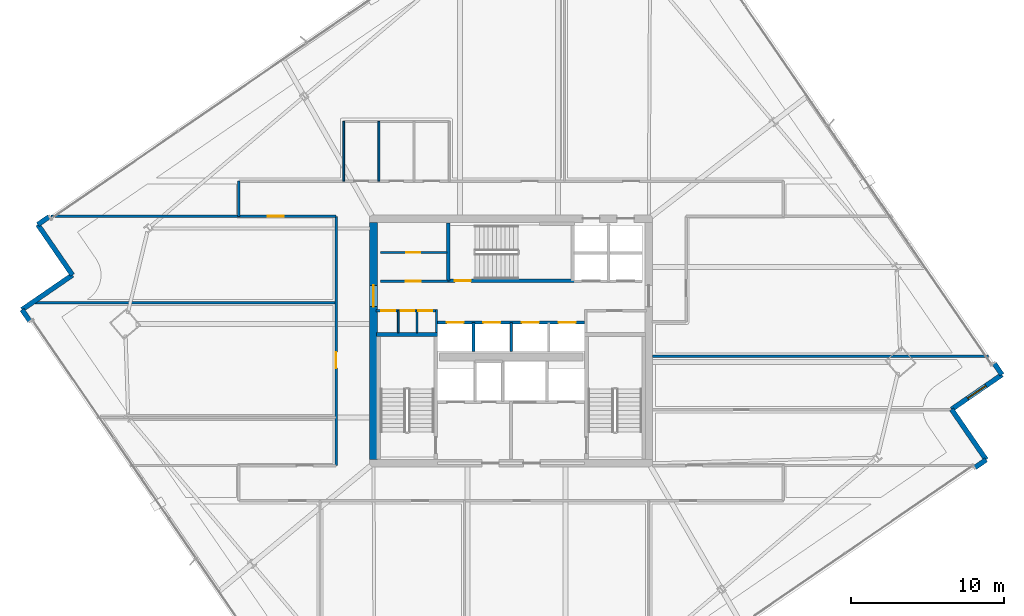
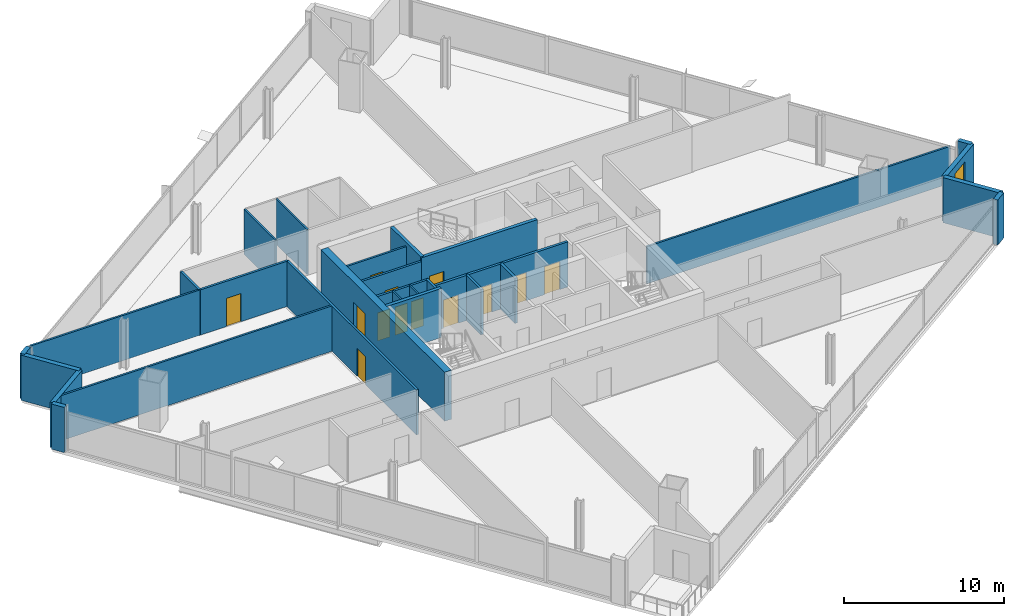
# One storey, part 22 of 29: 29 walls, 13 doors, 1 window, 14 openings.
"""IFC4 building model written with IfcOpenShell, lengths in metres."""

import ifcopenshell
import ifcopenshell.guid

model = None  # the IFC model being written
_history = None  # IfcOwnerHistory: only IFC2X3 demands one
_inside = {}  # id of a spatial element -> (the spatial element, [elements in it])
_under = {}  # id of a project, library or spatial element -> (it, [spatial elements below it])
_declared = {}  # id of a project -> (the project, [libraries it declares])
_typed = {}  # id of a type object -> (the type object, [elements of that type])
_made_of = {}  # id of a material, layer set ... -> (it, [elements and type objects made of it])


def new_model(schema):
    """Start an empty IFC model of exactly this schema.

    Asked for "IFC4X3", IfcOpenShell would pick the latest addendum, in which some entities
    have other attributes; the version numbers below select the first issue.
    IFC2X3 requires an IfcOwnerHistory on every rooted entity: one is made here for all.
    """
    global model, _history
    if schema == "IFC4X3":
        model = ifcopenshell.file(schema_version=(4, 3, 0, 0))
    else:
        model = ifcopenshell.file(schema=schema)
    _inside.clear()
    _under.clear()
    _declared.clear()
    _typed.clear()
    _made_of.clear()
    _history = None
    if model.schema == "IFC2X3":
        org = make("IfcOrganization", Name="unknown")
        user = make(
            "IfcPersonAndOrganization",
            ThePerson=make("IfcPerson", FamilyName="unknown"),
            TheOrganization=org,
        )
        app = make(
            "IfcApplication",
            ApplicationDeveloper=org,
            Version="unknown",
            ApplicationFullName="unknown",
            ApplicationIdentifier="unknown",
        )
        _history = make(
            "IfcOwnerHistory",
            OwningUser=user,
            OwningApplication=app,
            ChangeAction="ADDED",
            CreationDate=0,
        )
    return model


def make(cls, **values):
    """One entity of the class cls with the attributes given. An attribute that is None is left unset."""
    return model.create_entity(
        cls, **{name: value for name, value in values.items() if value is not None}
    )


def rooted(cls, **values):
    """An entity with a GlobalId (a new one), such as an element, a storey or a relation."""
    return make(cls, GlobalId=ifcopenshell.guid.new(), OwnerHistory=_history, **values)


def si_unit(unit_type, name, prefix=None):
    """IfcSIUnit, for example si_unit("LENGTHUNIT", "METRE", prefix="MILLI")."""
    return make("IfcSIUnit", UnitType=unit_type, Prefix=prefix, Name=name)


def assignment(units):
    """IfcUnitAssignment: the units of a project."""
    return None if units is None else make("IfcUnitAssignment", Units=units)


def point(xyz):
    """IfcCartesianPoint."""
    return None if xyz is None else make("IfcCartesianPoint", Coordinates=xyz)


def direction(xyz):
    """IfcDirection."""
    return None if xyz is None else make("IfcDirection", DirectionRatios=xyz)


def frame(location, z_axis=None, x_axis=None):
    """IfcAxis2Placement3D, a coordinate frame: its origin and axes. An axis left out is left unset."""
    return make(
        "IfcAxis2Placement3D",
        Location=point(location),
        Axis=direction(z_axis),
        RefDirection=direction(x_axis),
    )


def frame_2d(location, x_axis=None):
    """IfcAxis2Placement2D, a coordinate frame in the plane: its origin and x axis."""
    return make(
        "IfcAxis2Placement2D", Location=point(location), RefDirection=direction(x_axis)
    )


def origin():
    """The frame at (0, 0, 0) with its axes left unset."""
    return frame((0.0, 0.0, 0.0))


def place(relative_to, where):
    """IfcLocalPlacement: puts the frame where relative to a parent placement (None: the world)."""
    return make(
        "IfcLocalPlacement", PlacementRelTo=relative_to, RelativePlacement=where
    )


def context(
    kind, dimensions, precision=None, world=None, true_north=None, identifier=None
):
    """IfcGeometricRepresentationContext, for example the 3D "Model" context."""
    return make(
        "IfcGeometricRepresentationContext",
        ContextIdentifier=identifier,
        ContextType=kind,
        CoordinateSpaceDimension=dimensions,
        Precision=precision,
        WorldCoordinateSystem=world,
        TrueNorth=true_north,
    )


def subcontext(parent, identifier, kind, view, scale=None):
    """IfcGeometricRepresentationSubContext, for example "Body" below "Model"."""
    return make(
        "IfcGeometricRepresentationSubContext",
        ContextIdentifier=identifier,
        ContextType=kind,
        ParentContext=parent,
        TargetScale=scale,
        TargetView=view,
    )


def project(units=None, contexts=None):
    """IfcProject with its units and contexts."""
    return rooted(
        "IfcProject",
        Name="project",
        RepresentationContexts=contexts,
        UnitsInContext=assignment(units),
    )


def spatial(cls, under=None, at=None, **own):
    """A site, building, storey or space (cls), placed at a placement, below another one or the project."""
    s = rooted(cls, ObjectPlacement=at, **own)
    if under is not None:
        _under.setdefault(under.id(), (under, []))[1].append(s)
    return s


def profile(cls, at=None, kind="AREA", **sizes):
    """A parametric profile (cls). Its sizes go by their IFC names, for example OverallWidth=200.0."""
    return make(cls, ProfileType=kind, Position=at, **sizes)


def rectangle(**sizes):
    """IfcRectangleProfileDef."""
    return profile("IfcRectangleProfileDef", **sizes)


def extrude(swept, where, along, depth):
    """IfcExtrudedAreaSolid: the profile swept, set in the frame where, extruded along a direction by depth."""
    return make(
        "IfcExtrudedAreaSolid",
        SweptArea=swept,
        Position=where,
        ExtrudedDirection=direction(along),
        Depth=depth,
    )


def shape(context_of_items, identifier, shape_type, items):
    """IfcShapeRepresentation: the items that make up one representation, for example the "Body"."""
    return make(
        "IfcShapeRepresentation",
        ContextOfItems=context_of_items,
        RepresentationIdentifier=identifier,
        RepresentationType=shape_type,
        Items=items,
    )


def material(Name=None, Category=None):
    """IfcMaterial."""
    return make("IfcMaterial", Name=Name, Category=Category)


def layer(
    of_material, thickness, ventilated=None, Name=None, Category=None, Priority=None
):
    """IfcMaterialLayer: one layer of a wall or slab, of a material (None: an air gap)."""
    return make(
        "IfcMaterialLayer",
        Material=of_material,
        LayerThickness=thickness,
        IsVentilated=ventilated,
        Name=Name,
        Category=Category,
        Priority=Priority,
    )


def layer_set(layers, Name=None):
    """IfcMaterialLayerSet."""
    return make("IfcMaterialLayerSet", MaterialLayers=layers, LayerSetName=Name)


def made_of(thing, what):
    """Note that an element or type object is made of a material, layer set ...; save() writes the relation."""
    if what is not None:
        _made_of.setdefault(what.id(), (what, []))[1].append(thing)
    return thing


def type_object(cls, material=None, **own):
    """A type object (cls), such as IfcWallType, which elements share."""
    return made_of(rooted(cls, **own), material)


def element(
    cls,
    number,
    at=None,
    inside=None,
    cuts=None,
    type_object=None,
    material=None,
    context=None,
    identifier="Body",
    shape_type=None,
    held_by="IfcProductDefinitionShape",
    body=None,
    shapes=None,
    **own,
):
    """One element of the class cls, such as IfcWall. Its Tag is "e" and its number.

    at: its placement. inside: the storey or other place that contains it. cuts: it is an
    opening in that element (IfcRelVoidsElement). A single representation is given by context,
    identifier, shape_type and body (its items); several are given by shapes. held_by: the class
    of the entity that holds the representations. save() writes the other relations.
    """
    e = rooted(cls, Tag="e%d" % number, ObjectPlacement=at, **own)
    if body is not None:
        shapes = [shape(context, identifier, shape_type, body)]
    if shapes is not None:
        e.Representation = make(held_by, Representations=shapes)
    if inside is not None:
        _inside.setdefault(inside.id(), (inside, []))[1].append(e)
    if cuts is not None:
        rooted(
            "IfcRelVoidsElement", RelatingBuildingElement=cuts, RelatedOpeningElement=e
        )
    if type_object is not None:
        _typed.setdefault(type_object.id(), (type_object, []))[1].append(e)
    return made_of(e, material)


def fill(opening, filler):
    """IfcRelFillsElement: the door or window that sits in an opening."""
    return rooted(
        "IfcRelFillsElement",
        RelatingOpeningElement=opening,
        RelatedBuildingElement=filler,
    )


def aggregate(whole, parts):
    """IfcRelAggregates: a whole, such as a stair, and the parts it consists of."""
    return rooted("IfcRelAggregates", RelatingObject=whole, RelatedObjects=parts)


def save(model, path):
    """Write the relations noted so far, then the file.

    IfcRelAggregates (storeys below a building ...), IfcRelContainedInSpatialStructure (elements
    in a storey), IfcRelDefinesByType, IfcRelAssociatesMaterial and IfcRelDeclares: one each for
    every whole, place, type object, material and project.
    """
    for whole, parts in _under.values():
        aggregate(whole, parts)
    for where, things in _inside.values():
        rooted(
            "IfcRelContainedInSpatialStructure",
            RelatedElements=things,
            RelatingStructure=where,
        )
    for kind, things in _typed.values():
        rooted("IfcRelDefinesByType", RelatedObjects=things, RelatingType=kind)
    for what, things in _made_of.values():
        rooted("IfcRelAssociatesMaterial", RelatedObjects=things, RelatingMaterial=what)
    for by, libraries in _declared.values():
        rooted("IfcRelDeclares", RelatingContext=by, RelatedDefinitions=libraries)
    model.write(path)


model = new_model("IFC4")

# Units and contexts
model_context = context("Model", 3, precision=1e-05, world=origin(), true_north=direction((0.0, 1.0)))
body_context = subcontext(model_context, "Body", "Model", "MODEL_VIEW")
ifc_project = project(units=[si_unit("LENGTHUNIT", "METRE"), si_unit("AREAUNIT", "SQUARE_METRE"), si_unit("VOLUMEUNIT", "CUBIC_METRE"), si_unit("PLANEANGLEUNIT", "RADIAN"), si_unit("MASSUNIT", "GRAM", prefix="KILO")], contexts=[model_context])

# Site, building, storey
site_placement = place(None, origin())
site = spatial("IfcSite", under=ifc_project, at=site_placement, CompositionType="ELEMENT")
building_placement = place(site_placement, origin())
building = spatial("IfcBuilding", under=site, at=building_placement, Name="Haldenkirk Collegiate Tower", CompositionType="ELEMENT")
storey_placement = place(building_placement, frame((0.0, 0.0, 144.449951171875)))
storey = spatial("IfcBuildingStorey", under=building, at=storey_placement, Name="L35", CompositionType="ELEMENT", Elevation=144.449951171875)

# Wall, opening, door
ifc_material_1 = material(Name="Concrete f'c 55 MPa", Category="concrete")
ifc_layer_1 = layer(ifc_material_1, 0.5)
ifc_layer_set_1 = layer_set([ifc_layer_1], Name="Concrete f'c 55 MPa")
wall_type_1 = type_object("IfcWallType", Name="WL-CORE-500", PredefinedType="SHEAR", material=ifc_layer_set_1)
wall_1_placement = place(storey_placement, frame((27.0, 18.25, 0.0), z_axis=(0.0, 0.0, 1.0), x_axis=(0.0, 1.0, 0.0)))
wall_1 = element("IfcWall", 1, at=wall_1_placement, inside=storey, type_object=wall_type_1, Name="L35 central core shear wall W", PredefinedType="SHEAR", context=body_context, shape_type="SweptSolid", body=[
    extrude(rectangle(XDim=15.5, YDim=0.5, at=frame_2d((7.75, 0.0))), origin(), (0.0, 0.0, 1.0), 3.75),
])
opening_1_placement = place(wall_1_placement, frame((9.989990234375, 0.0, 0.0)))
opening_1 = element("IfcOpeningElement", 2, at=opening_1_placement, cuts=wall_1, Name="Opening D-03", PredefinedType="OPENING", context=body_context, shape_type="SweptSolid", body=[
    extrude(rectangle(XDim=1.39990234375, YDim=2.199951171875, at=frame_2d((0.699951171875, 1.10009765625))), frame((0.0, 0.260009765625, 0.0), z_axis=(0.0, -1.0, 0.0), x_axis=(1.0, 0.0, 0.0)), (0.0, 0.0, 1.0), 0.52001953125),
])
ifc_material_2 = material(Name="Galvanized fire-rated hollow steel door", Category="steel")
ifc_layer_2 = layer(ifc_material_2, 0.06005859375)
ifc_layer_set_2 = layer_set([ifc_layer_2], Name="Galvanized fire-rated hollow steel door")
door_type_1 = type_object("IfcDoorType", Name="DR-LOBBY-FD90-1400", OperationType="NOTDEFINED", PredefinedType="DOOR", material=ifc_layer_set_2)
door_1_placement = place(opening_1_placement, origin())
door_1 = element("IfcDoor", 3, at=door_1_placement, inside=storey, type_object=door_type_1, Name="L35 west lift lobby portal", OperationType="DOUBLE_DOOR_SINGLE_SWING", OverallHeight=2.199951171875, OverallWidth=1.39990234375, PredefinedType="DOOR", context=body_context, shape_type="SweptSolid", body=[
    extrude(rectangle(XDim=1.39990234375, YDim=2.199951171875, at=frame_2d((0.699951171875, 1.10009765625))), frame((0.0, 0.02490234375, 0.0), z_axis=(0.0, -1.0, 0.0), x_axis=(1.0, 0.0, 0.0)), (0.0, 0.0, 1.0), 0.050048828125),
])
fill(opening_1, door_1)

# Walls
ifc_material_3 = material(Name="Precast concrete f'c 40 MPa", Category="concrete")
ifc_layer_3 = layer(ifc_material_3, 0.320068359375)
ifc_layer_set_3 = layer_set([ifc_layer_3], Name="Precast concrete f'c 40 MPa")
wall_type_2 = type_object("IfcWallType", Name="WL-EXT-TWR-320", PredefinedType="STANDARD", material=ifc_layer_set_3)
wall_2_placement = place(storey_placement, frame((67.065185546875, 18.228759765625, 0.0), z_axis=(0.0, 0.0, 1.0), x_axis=(-0.824121066824, -0.566413689114, 0.0)))
element("IfcWall", 4, at=wall_2_placement, inside=storey, type_object=wall_type_2, Name="L35 precast corner pier SL", PredefinedType="STANDARD", context=body_context, shape_type="SweptSolid", body=[
    extrude(rectangle(XDim=0.89990234375, YDim=0.320068359375, at=frame_2d((0.449951171875, 0.0))), origin(), (0.0, 0.0, 1.0), 3.4599609375),
])
wall_3_placement = place(storey_placement, frame((64.799560546875, 21.525390625, 0.0), z_axis=(0.0, 0.0, 1.0), x_axis=(0.566391529966, -0.824136296242, 0.0)))
element("IfcWall", 5, at=wall_3_placement, inside=storey, type_object=wall_type_2, Name="L35 bronze precast notch wall 02", PredefinedType="STANDARD", context=body_context, shape_type="SweptSolid", body=[
    extrude(rectangle(XDim=4.0, YDim=0.320068359375, at=frame_2d((2.0, 0.0))), origin(), (0.0, 0.0, 1.0), 3.4599609375),
])

# Wall, opening, window
wall_4_placement = place(storey_placement, frame((68.09619140625, 23.791015625, 0.0), z_axis=(0.0, 0.0, 1.0), x_axis=(-0.824136296242, -0.566391529966, 0.0)))
wall_4 = element("IfcWall", 6, at=wall_4_placement, inside=storey, type_object=wall_type_2, Name="L35 bronze precast notch wall 03", PredefinedType="STANDARD", context=body_context, shape_type="SweptSolid", body=[
    extrude(rectangle(XDim=4.0, YDim=0.320068359375, at=frame_2d((2.0, 0.0))), origin(), (0.0, 0.0, 1.0), 3.4599609375),
])
opening_2_placement = place(wall_4_placement, frame((1.27490234375, 0.0, 0.85009765625)))
opening_2 = element("IfcOpeningElement", 7, at=opening_2_placement, cuts=wall_4, Name="Opening W-05", PredefinedType="OPENING", context=body_context, shape_type="SweptSolid", body=[
    extrude(rectangle(XDim=1.449951171875, YDim=2.050048828125, at=frame_2d((0.72509765625, 1.02490234375))), frame((0.0, 0.169921875, 0.0), z_axis=(0.0, -1.0, 0.0), x_axis=(1.0, 0.0, 0.0)), (0.0, 0.0, 1.0), 0.340087890625),
])
ifc_material_4 = material(Name="Low-E argon triple insulating glass", Category="glass")
ifc_layer_4 = layer(ifc_material_4, 0.090087890625)
ifc_layer_set_4 = layer_set([ifc_layer_4], Name="Low-E argon triple insulating glass")
window_type = type_object("IfcWindowType", Name="WN-Z3-1450X2050", PartitioningType="SINGLE_PANEL", PredefinedType="WINDOW", material=ifc_layer_set_4)
window_placement = place(opening_2_placement, origin())
window = element("IfcWindow", 8, at=window_placement, inside=storey, type_object=window_type, Name="L35 precast-frame academic window 2", OverallHeight=2.050048828125, OverallWidth=1.449951171875, PartitioningType="SINGLE_PANEL", PredefinedType="WINDOW", context=body_context, shape_type="SweptSolid", body=[
    extrude(rectangle(XDim=1.449951171875, YDim=2.050048828125, at=frame_2d((0.72509765625, 1.02490234375))), frame((0.0, 0.030029296875, 0.0), z_axis=(0.0, -1.0, 0.0), x_axis=(1.0, 0.0, 0.0)), (0.0, 0.0, 1.0), 0.06005859375),
])
fill(opening_2, window)

# Walls
wall_5_placement = place(storey_placement, frame((67.586181640625, 24.53271484375, 0.0), z_axis=(0.0, 0.0, 1.0), x_axis=(0.566597887229, -0.823994438202, 0.0)))
element("IfcWall", 9, at=wall_5_placement, inside=storey, type_object=wall_type_2, Name="L35 precast corner pier ER", PredefinedType="STANDARD", context=body_context, shape_type="SweptSolid", body=[
    extrude(rectangle(XDim=0.900146484375, YDim=0.320068359375, at=frame_2d((0.4501953125, 0.0))), origin(), (0.0, 0.0, 1.0), 3.4599609375),
])
wall_6_placement = place(storey_placement, frame((5.048095703125, 33.6064453125, 0.0), z_axis=(0.0, 0.0, 1.0), x_axis=(0.824121066824, 0.566413689114, 0.0)))
element("IfcWall", 10, at=wall_6_placement, inside=storey, type_object=wall_type_2, Name="L35 precast corner pier NL", PredefinedType="STANDARD", context=body_context, shape_type="SweptSolid", body=[
    extrude(rectangle(XDim=0.89990234375, YDim=0.320068359375, at=frame_2d((0.449951171875, 0.0))), origin(), (0.0, 0.0, 1.0), 3.4599609375),
])
for number, where, z_axis, x_axis, name in (
    (11, (7.313720703125, 30.309814453125, 0.0), (0.0, 0.0, 1.0), (-0.566391529966, 0.824136296242, 0.0), "L35 bronze precast notch wall 08"),
    (12, (4.01708984375, 28.044189453125, 0.0), (0.0, 0.0, 1.0), (0.824136296242, 0.566391529966, 0.0), "L35 bronze precast notch wall 09"),
):
    element("IfcWall", number, at=place(storey_placement, frame(where, z_axis=z_axis, x_axis=x_axis)), inside=storey, type_object=wall_type_2, Name=name, PredefinedType="STANDARD", context=body_context, shape_type="SweptSolid", body=[
        extrude(rectangle(XDim=4.0, YDim=0.320068359375, at=frame_2d((2.0, 0.0))), origin(), (0.0, 0.0, 1.0), 3.4599609375),
    ])
wall_7_placement = place(storey_placement, frame((4.527099609375, 27.302490234375, 0.0), z_axis=(0.0, 0.0, 1.0), x_axis=(-0.566597887229, 0.823994438202, 0.0)))
element("IfcWall", 13, at=wall_7_placement, inside=storey, type_object=wall_type_2, Name="L35 precast corner pier WR", PredefinedType="STANDARD", context=body_context, shape_type="SweptSolid", body=[
    extrude(rectangle(XDim=0.900146484375, YDim=0.320068359375, at=frame_2d((0.4501953125, 0.0))), origin(), (0.0, 0.0, 1.0), 3.4599609375),
])

# Wall, openings, doors
ifc_material_5 = material(Name="Acoustic fire-rated gypsum partition", Category="concrete")
ifc_layer_5 = layer(ifc_material_5, 0.159912109375)
ifc_layer_set_5 = layer_set([ifc_layer_5], Name="Acoustic fire-rated gypsum partition")
wall_type_3 = type_object("IfcWallType", Name="WL-INT-CORR-160", PredefinedType="PARTITIONING", material=ifc_layer_set_5)
wall_8_placement = place(storey_placement, frame((27.14990234375, 27.97998046875, 0.0), z_axis=(0.0, 0.0, 1.0), x_axis=(1.0, 0.0, 0.0)))
wall_8 = element("IfcWall", 14, at=wall_8_placement, inside=storey, type_object=wall_type_3, Name="L35 interior partition IW-L35-VCSW-N", PredefinedType="PARTITIONING", context=body_context, shape_type="SweptSolid", body=[
    extrude(rectangle(XDim=4.050048828125, YDim=0.159912109375, at=frame_2d((2.02490234375, 0.0))), origin(), (0.0, 0.0, 1.0), 3.4599609375),
])
opening_3_placement = place(wall_8_placement, frame((0.360107421875, 0.0, 0.0)))
opening_3 = element("IfcOpeningElement", 15, at=opening_3_placement, cuts=wall_8, Name="Opening D-11", PredefinedType="OPENING", context=body_context, shape_type="SweptSolid", body=[
    extrude(rectangle(XDim=0.89990234375, YDim=2.14990234375, at=frame_2d((0.449951171875, 1.074951171875))), frame((0.0, 0.08984375, 0.0), z_axis=(0.0, -1.0, 0.0), x_axis=(1.0, 0.0, 0.0)), (0.0, 0.0, 1.0), 0.179931640625),
])
opening_4_placement = place(wall_8_placement, frame((1.6298828125, 0.0, 0.0)))
opening_4 = element("IfcOpeningElement", 16, at=opening_4_placement, cuts=wall_8, Name="Opening D-11", PredefinedType="OPENING", context=body_context, shape_type="SweptSolid", body=[
    extrude(rectangle(XDim=0.89990234375, YDim=2.14990234375, at=frame_2d((0.449951171875, 1.074951171875))), frame((0.0, 0.08984375, 0.0), z_axis=(0.0, -1.0, 0.0), x_axis=(1.0, 0.0, 0.0)), (0.0, 0.0, 1.0), 0.179931640625),
])
opening_5_placement = place(wall_8_placement, frame((2.78759765625, 0.0, 0.0)))
opening_5 = element("IfcOpeningElement", 17, at=opening_5_placement, cuts=wall_8, Name="Opening D-11", PredefinedType="OPENING", context=body_context, shape_type="SweptSolid", body=[
    extrude(rectangle(XDim=0.89990234375, YDim=2.14990234375, at=frame_2d((0.449951171875, 1.074951171875))), frame((0.0, 0.08984375, 0.0), z_axis=(0.0, -1.0, 0.0), x_axis=(1.0, 0.0, 0.0)), (0.0, 0.0, 1.0), 0.179931640625),
])
ifc_material_6 = material(Name="Solid-core architectural oak fire door", Category="wood")
ifc_layer_6 = layer(ifc_material_6, 0.06005859375)
ifc_layer_set_6 = layer_set([ifc_layer_6], Name="Solid-core architectural oak fire door")
door_type_2 = type_object("IfcDoorType", Name="DR-INT-FD60-900", OperationType="NOTDEFINED", PredefinedType="DOOR", material=ifc_layer_set_6)
door_2_placement = place(opening_3_placement, origin())
door_2 = element("IfcDoor", 18, at=door_2_placement, inside=storey, type_object=door_type_2, Name="L35 core study booth door", OperationType="SINGLE_SWING_LEFT", OverallHeight=2.14990234375, OverallWidth=0.89990234375, PredefinedType="DOOR", context=body_context, shape_type="SweptSolid", body=[
    extrude(rectangle(XDim=0.89990234375, YDim=2.14990234375, at=frame_2d((0.449951171875, 1.074951171875))), frame((0.0, 0.02490234375, 0.0), z_axis=(0.0, -1.0, 0.0), x_axis=(1.0, 0.0, 0.0)), (0.0, 0.0, 1.0), 0.050048828125),
])
fill(opening_3, door_2)
door_3_placement = place(opening_4_placement, origin())
door_3 = element("IfcDoor", 19, at=door_3_placement, inside=storey, type_object=door_type_2, Name="L35 core cleaners door", OperationType="SINGLE_SWING_RIGHT", OverallHeight=2.14990234375, OverallWidth=0.89990234375, PredefinedType="DOOR", context=body_context, shape_type="SweptSolid", body=[
    extrude(rectangle(XDim=0.89990234375, YDim=2.14990234375, at=frame_2d((0.449951171875, 1.074951171875))), frame((0.0, 0.02490234375, 0.0), z_axis=(0.0, -1.0, 0.0), x_axis=(1.0, 0.0, 0.0)), (0.0, 0.0, 1.0), 0.050048828125),
])
fill(opening_4, door_3)
door_4_placement = place(opening_5_placement, origin())
door_4 = element("IfcDoor", 20, at=door_4_placement, inside=storey, type_object=door_type_2, Name="L35 core stationery door", OperationType="SINGLE_SWING_LEFT", OverallHeight=2.14990234375, OverallWidth=0.89990234375, PredefinedType="DOOR", context=body_context, shape_type="SweptSolid", body=[
    extrude(rectangle(XDim=0.89990234375, YDim=2.14990234375, at=frame_2d((0.449951171875, 1.074951171875))), frame((0.0, 0.02490234375, 0.0), z_axis=(0.0, -1.0, 0.0), x_axis=(1.0, 0.0, 0.0)), (0.0, 0.0, 1.0), 0.050048828125),
])
fill(opening_5, door_4)

# Wall
wall_9_placement = place(storey_placement, frame((31.1201171875, 26.5400390625, 0.0), z_axis=(0.0, 0.0, 1.0), x_axis=(0.0, 1.0, 0.0)))
element("IfcWall", 21, at=wall_9_placement, inside=storey, type_object=wall_type_3, Name="L35 interior partition IW-L35-VCSW-E", PredefinedType="PARTITIONING", context=body_context, shape_type="SweptSolid", body=[
    extrude(rectangle(XDim=1.510009765625, YDim=0.159912109375, at=frame_2d((0.7548828125, 0.0))), origin(), (0.0, 0.0, 1.0), 3.4599609375),
])

# Wall, opening, door
wall_10_placement = place(storey_placement, frame((27.449951171875, 29.89990234375, 0.0), z_axis=(0.0, 0.0, 1.0), x_axis=(1.0, 0.0, 0.0)))
wall_10 = element("IfcWall", 22, at=wall_10_placement, inside=storey, type_object=wall_type_3, Name="L35 interior partition IW-L35-PLS", PredefinedType="PARTITIONING", context=body_context, shape_type="SweptSolid", body=[
    extrude(rectangle(XDim=4.429931640625, YDim=0.159912109375, at=frame_2d((2.21484375, 0.0))), origin(), (0.0, 0.0, 1.0), 3.4599609375),
])
opening_6_placement = place(wall_10_placement, frame((1.675048828125, 0.0, 0.0)))
opening_6 = element("IfcOpeningElement", 23, at=opening_6_placement, cuts=wall_10, Name="Opening D-10", PredefinedType="OPENING", context=body_context, shape_type="SweptSolid", body=[
    extrude(rectangle(XDim=0.949951171875, YDim=2.14990234375, at=frame_2d((0.47509765625, 1.074951171875))), frame((0.0, 0.08984375, 0.0), z_axis=(0.0, -1.0, 0.0), x_axis=(1.0, 0.0, 0.0)), (0.0, 0.0, 1.0), 0.179931640625),
])
ifc_layer_7 = layer(ifc_material_6, 0.06005859375)
ifc_layer_set_7 = layer_set([ifc_layer_7], Name="Solid-core architectural oak fire door")
door_type_3 = type_object("IfcDoorType", Name="DR-INT-FD60-950", OperationType="NOTDEFINED", PredefinedType="DOOR", material=ifc_layer_set_7)
door_5_placement = place(opening_6_placement, origin())
door_5 = element("IfcDoor", 24, at=door_5_placement, inside=storey, type_object=door_type_3, Name="L35 consultation door", OperationType="SINGLE_SWING_LEFT", OverallHeight=2.14990234375, OverallWidth=0.949951171875, PredefinedType="DOOR", context=body_context, shape_type="SweptSolid", body=[
    extrude(rectangle(XDim=0.949951171875, YDim=2.14990234375, at=frame_2d((0.47509765625, 1.074951171875))), frame((0.0, 0.02490234375, 0.0), z_axis=(0.0, -1.0, 0.0), x_axis=(1.0, 0.0, 0.0)), (0.0, 0.0, 1.0), 0.050048828125),
])
fill(opening_6, door_5)

wall_11_placement = place(storey_placement, frame((18.199951171875, 34.14990234375, 0.0), z_axis=(0.0, 0.0, 1.0), x_axis=(1.0, 0.0, 0.0)))
wall_11 = element("IfcWall", 25, at=wall_11_placement, inside=storey, type_object=wall_type_3, Name="L35 interior partition IW-L35-CNW", PredefinedType="PARTITIONING", context=body_context, shape_type="SweptSolid", body=[
    extrude(rectangle(XDim=6.35009765625, YDim=0.159912109375, at=frame_2d((3.175048828125, 0.0))), origin(), (0.0, 0.0, 1.0), 3.4599609375),
])
opening_7_placement = place(wall_11_placement, frame((1.887939453125, 0.0, 0.0)))
opening_7 = element("IfcOpeningElement", 26, at=opening_7_placement, cuts=wall_11, Name="Opening D-09", PredefinedType="OPENING", context=body_context, shape_type="SweptSolid", body=[
    extrude(rectangle(XDim=1.050048828125, YDim=2.14990234375, at=frame_2d((0.52490234375, 1.074951171875))), frame((0.0, 0.08984375, 0.0), z_axis=(0.0, -1.0, 0.0), x_axis=(1.0, 0.0, 0.0)), (0.0, 0.0, 1.0), 0.179931640625),
])
ifc_layer_8 = layer(ifc_material_6, 0.06005859375)
ifc_layer_set_8 = layer_set([ifc_layer_8], Name="Solid-core architectural oak fire door")
door_type_4 = type_object("IfcDoorType", Name="DR-INT-FD60-1050", OperationType="NOTDEFINED", PredefinedType="DOOR", material=ifc_layer_set_8)
door_6_placement = place(opening_7_placement, origin())
door_6 = element("IfcDoor", 27, at=door_6_placement, inside=storey, type_object=door_type_4, Name="L35 Hospitality Tea Kitchen 9 door", OperationType="SINGLE_SWING_RIGHT", OverallHeight=2.14990234375, OverallWidth=1.050048828125, PredefinedType="DOOR", context=body_context, shape_type="SweptSolid", body=[
    extrude(rectangle(XDim=1.050048828125, YDim=2.14990234375, at=frame_2d((0.52490234375, 1.074951171875))), frame((0.0, 0.02490234375, 0.0), z_axis=(0.0, -1.0, 0.0), x_axis=(1.0, 0.0, 0.0)), (0.0, 0.0, 1.0), 0.050048828125),
])
fill(opening_7, door_6)

wall_12_placement = place(storey_placement, frame((24.550048828125, 17.85009765625, 0.0), z_axis=(0.0, 0.0, 1.0), x_axis=(0.0, 1.0, 0.0)))
wall_12 = element("IfcWall", 28, at=wall_12_placement, inside=storey, type_object=wall_type_3, Name="L35 interior partition IW-L35-CW", PredefinedType="PARTITIONING", context=body_context, shape_type="SweptSolid", body=[
    extrude(rectangle(XDim=16.2998046875, YDim=0.159912109375, at=frame_2d((8.14990234375, 0.0))), origin(), (0.0, 0.0, 1.0), 3.4599609375),
])
opening_8_placement = place(wall_12_placement, frame((6.375, 0.0, 0.0)))
opening_8 = element("IfcOpeningElement", 29, at=opening_8_placement, cuts=wall_12, Name="Opening D-09", PredefinedType="OPENING", context=body_context, shape_type="SweptSolid", body=[
    extrude(rectangle(XDim=1.050048828125, YDim=2.14990234375, at=frame_2d((0.52490234375, 1.074951171875))), frame((0.0, 0.08984375, 0.0), z_axis=(0.0, -1.0, 0.0), x_axis=(1.0, 0.0, 0.0)), (0.0, 0.0, 1.0), 0.179931640625),
])
door_7_placement = place(opening_8_placement, origin())
door_7 = element("IfcDoor", 30, at=door_7_placement, inside=storey, type_object=door_type_4, Name="L35 Faculty Tea Kitchen 8 door", OperationType="SINGLE_SWING_LEFT", OverallHeight=2.14990234375, OverallWidth=1.050048828125, PredefinedType="DOOR", context=body_context, shape_type="SweptSolid", body=[
    extrude(rectangle(XDim=1.050048828125, YDim=2.14990234375, at=frame_2d((0.52490234375, 1.074951171875))), frame((0.0, 0.02490234375, 0.0), z_axis=(0.0, -1.0, 0.0), x_axis=(1.0, 0.0, 0.0)), (0.0, 0.0, 1.0), 0.050048828125),
])
fill(opening_8, door_7)

# Wall
wall_13_placement = place(storey_placement, frame((18.199951171875, 34.14990234375, 0.0), z_axis=(0.0, 0.0, 1.0), x_axis=(0.0, 1.0, 0.0)))
element("IfcWall", 31, at=wall_13_placement, inside=storey, type_object=wall_type_3, Name="L35 interior partition IW-L35-CNL", PredefinedType="PARTITIONING", context=body_context, shape_type="SweptSolid", body=[
    extrude(rectangle(XDim=2.300048828125, YDim=0.159912109375, at=frame_2d((1.14990234375, 0.0))), origin(), (0.0, 0.0, 1.0), 3.4599609375),
])

# Wall, opening, door
ifc_layer_9 = layer(ifc_material_5, 0.139892578125)
ifc_layer_set_9 = layer_set([ifc_layer_9], Name="Acoustic fire-rated gypsum partition")
wall_type_4 = type_object("IfcWallType", Name="WL-INT-DIV-140", PredefinedType="PARTITIONING", material=ifc_layer_set_9)
wall_14_placement = place(storey_placement, frame((27.449951171875, 31.780029296875, 0.0), z_axis=(0.0, 0.0, 1.0), x_axis=(1.0, 0.0, 0.0)))
wall_14 = element("IfcWall", 32, at=wall_14_placement, inside=storey, type_object=wall_type_4, Name="L35 interior partition IW-L35-PLDIVH", PredefinedType="PARTITIONING", context=body_context, shape_type="SweptSolid", body=[
    extrude(rectangle(XDim=4.35009765625, YDim=0.139892578125, at=frame_2d((2.175048828125, 0.0))), origin(), (0.0, 0.0, 1.0), 3.4599609375),
])
opening_9_placement = place(wall_14_placement, frame((1.699951171875, 0.0, 0.0)))
opening_9 = element("IfcOpeningElement", 33, at=opening_9_placement, cuts=wall_14, Name="Opening D-13", PredefinedType="OPENING", context=body_context, shape_type="SweptSolid", body=[
    extrude(rectangle(XDim=0.89990234375, YDim=2.14990234375, at=frame_2d((0.449951171875, 1.074951171875))), frame((0.0, 0.079833984375, 0.0), z_axis=(0.0, -1.0, 0.0), x_axis=(1.0, 0.0, 0.0)), (0.0, 0.0, 1.0), 0.159912109375),
])
ifc_layer_10 = layer(ifc_material_6, 0.06005859375)
ifc_layer_set_10 = layer_set([ifc_layer_10], Name="Solid-core architectural oak fire door")
door_type_5 = type_object("IfcDoorType", Name="DR-INT-STD-900", OperationType="NOTDEFINED", PredefinedType="DOOR", material=ifc_layer_set_10)
door_8_placement = place(opening_9_placement, origin())
door_8 = element("IfcDoor", 34, at=door_8_placement, inside=storey, type_object=door_type_5, Name="L35 folio vault door", OperationType="SINGLE_SWING_RIGHT", OverallHeight=2.14990234375, OverallWidth=0.89990234375, PredefinedType="DOOR", context=body_context, shape_type="SweptSolid", body=[
    extrude(rectangle(XDim=0.89990234375, YDim=2.14990234375, at=frame_2d((0.449951171875, 1.074951171875))), frame((0.0, 0.02490234375, 0.0), z_axis=(0.0, -1.0, 0.0), x_axis=(1.0, 0.0, 0.0)), (0.0, 0.0, 1.0), 0.050048828125),
])
fill(opening_9, door_8)

# Walls
wall_15_placement = place(storey_placement, frame((5.90966796875, 34.14990234375, 0.0), z_axis=(0.0, 0.0, 1.0), x_axis=(1.0, 0.0, 0.0)))
element("IfcWall", 35, at=wall_15_placement, inside=storey, type_object=wall_type_4, Name="L35 interior partition IW-L35-BWN", PredefinedType="PARTITIONING", context=body_context, shape_type="SweptSolid", body=[
    extrude(rectangle(XDim=12.290283203125, YDim=0.139892578125, at=frame_2d((6.14501953125, 0.0))), origin(), (0.0, 0.0, 1.0), 3.4599609375),
])
wall_16_placement = place(storey_placement, frame((4.7509765625, 28.5, 0.0), z_axis=(0.0, 0.0, 1.0), x_axis=(1.0, 0.0, 0.0)))
element("IfcWall", 36, at=wall_16_placement, inside=storey, type_object=wall_type_4, Name="L35 interior partition IW-L35-RW2", PredefinedType="PARTITIONING", context=body_context, shape_type="SweptSolid", body=[
    extrude(rectangle(XDim=19.799072265625, YDim=0.139892578125, at=frame_2d((9.8994140625, 0.0))), origin(), (0.0, 0.0, 1.0), 3.4599609375),
])
wall_17_placement = place(storey_placement, frame((45.25, 25.0, 0.0), z_axis=(0.0, 0.0, 1.0), x_axis=(1.0, 0.0, 0.0)))
element("IfcWall", 37, at=wall_17_placement, inside=storey, type_object=wall_type_4, Name="L35 interior partition IW-L35-RE2", PredefinedType="PARTITIONING", context=body_context, shape_type="SweptSolid", body=[
    extrude(rectangle(XDim=21.966552734375, YDim=0.139892578125, at=frame_2d((10.9833984375, 0.0))), origin(), (0.0, 0.0, 1.0), 2.839111328125),
])

# Wall, openings, doors
ifc_material_7 = material(Name="Fire-rated gypsum shaftboard assembly", Category="concrete")
ifc_layer_11 = layer(ifc_material_7, 0.179931640625)
ifc_layer_set_11 = layer_set([ifc_layer_11], Name="Fire-rated gypsum shaftboard assembly")
wall_type_5 = type_object("IfcWallType", Name="WL-INT-SHAFT-180", PredefinedType="PARTITIONING", material=ifc_layer_set_11)
wall_18_placement = place(storey_placement, frame((31.199951171875, 27.199951171875, 0.0), z_axis=(0.0, 0.0, 1.0), x_axis=(1.0, 0.0, 0.0)))
wall_18 = element("IfcWall", 38, at=wall_18_placement, inside=storey, type_object=wall_type_5, Name="L35 interior partition IW-L35-PHN", PredefinedType="PARTITIONING", context=body_context, shape_type="SweptSolid", body=[
    extrude(rectangle(XDim=9.60009765625, YDim=0.179931640625, at=frame_2d((4.800048828125, 0.0))), origin(), (0.0, 0.0, 1.0), 3.4599609375),
])
opening_10_placement = place(wall_18_placement, frame((0.590087890625, 0.0, 0.0)))
opening_10 = element("IfcOpeningElement", 39, at=opening_10_placement, cuts=wall_18, Name="Opening LD-11", PredefinedType="OPENING", context=body_context, shape_type="SweptSolid", body=[
    extrude(rectangle(XDim=1.10009765625, YDim=2.14990234375, at=frame_2d((0.550048828125, 1.074951171875))), frame((0.0, 0.099853515625, 0.0), z_axis=(0.0, -1.0, 0.0), x_axis=(1.0, 0.0, 0.0)), (0.0, 0.0, 1.0), 0.199951171875),
])
opening_11_placement = place(wall_18_placement, frame((2.989990234375, 0.0, 0.0)))
opening_11 = element("IfcOpeningElement", 40, at=opening_11_placement, cuts=wall_18, Name="Opening LD-11", PredefinedType="OPENING", context=body_context, shape_type="SweptSolid", body=[
    extrude(rectangle(XDim=1.10009765625, YDim=2.14990234375, at=frame_2d((0.550048828125, 1.074951171875))), frame((0.0, 0.099853515625, 0.0), z_axis=(0.0, -1.0, 0.0), x_axis=(1.0, 0.0, 0.0)), (0.0, 0.0, 1.0), 0.199951171875),
])
opening_12_placement = place(wall_18_placement, frame((5.510009765625, 0.0, 0.0)))
opening_12 = element("IfcOpeningElement", 41, at=opening_12_placement, cuts=wall_18, Name="Opening LD-11", PredefinedType="OPENING", context=body_context, shape_type="SweptSolid", body=[
    extrude(rectangle(XDim=1.10009765625, YDim=2.14990234375, at=frame_2d((0.550048828125, 1.074951171875))), frame((0.0, 0.099853515625, 0.0), z_axis=(0.0, -1.0, 0.0), x_axis=(1.0, 0.0, 0.0)), (0.0, 0.0, 1.0), 0.199951171875),
])
opening_13_placement = place(wall_18_placement, frame((7.909912109375, 0.0, 0.0)))
opening_13 = element("IfcOpeningElement", 42, at=opening_13_placement, cuts=wall_18, Name="Opening LD-11", PredefinedType="OPENING", context=body_context, shape_type="SweptSolid", body=[
    extrude(rectangle(XDim=1.10009765625, YDim=2.14990234375, at=frame_2d((0.550048828125, 1.074951171875))), frame((0.0, 0.099853515625, 0.0), z_axis=(0.0, -1.0, 0.0), x_axis=(1.0, 0.0, 0.0)), (0.0, 0.0, 1.0), 0.199951171875),
])
ifc_material_8 = material(Name="Brushed architectural stainless steel", Category="steel")
ifc_layer_12 = layer(ifc_material_8, 0.06005859375)
ifc_layer_set_12 = layer_set([ifc_layer_12], Name="Brushed architectural stainless steel")
door_type_6 = type_object("IfcDoorType", Name="LD-PASS-1100", OperationType="NOTDEFINED", PredefinedType="DOOR", material=ifc_layer_set_12)
door_9_placement = place(opening_10_placement, origin())
door_9 = element("IfcDoor", 43, at=door_9_placement, inside=storey, type_object=door_type_6, Name="L35 Elevator PH1 sliding landing door", OperationType="SLIDING_TO_LEFT", OverallHeight=2.14990234375, OverallWidth=1.10009765625, PredefinedType="DOOR", context=body_context, shape_type="SweptSolid", body=[
    extrude(rectangle(XDim=1.10009765625, YDim=2.14990234375, at=frame_2d((0.550048828125, 1.074951171875))), frame((0.0, 0.02490234375, 0.0), z_axis=(0.0, -1.0, 0.0), x_axis=(1.0, 0.0, 0.0)), (0.0, 0.0, 1.0), 0.050048828125),
])
fill(opening_10, door_9)
door_10_placement = place(opening_11_placement, origin())
door_10 = element("IfcDoor", 44, at=door_10_placement, inside=storey, type_object=door_type_6, Name="L35 Elevator PH2 sliding landing door", OperationType="SLIDING_TO_LEFT", OverallHeight=2.14990234375, OverallWidth=1.10009765625, PredefinedType="DOOR", context=body_context, shape_type="SweptSolid", body=[
    extrude(rectangle(XDim=1.10009765625, YDim=2.14990234375, at=frame_2d((0.550048828125, 1.074951171875))), frame((0.0, 0.02490234375, 0.0), z_axis=(0.0, -1.0, 0.0), x_axis=(1.0, 0.0, 0.0)), (0.0, 0.0, 1.0), 0.050048828125),
])
fill(opening_11, door_10)
door_11_placement = place(opening_12_placement, origin())
door_11 = element("IfcDoor", 45, at=door_11_placement, inside=storey, type_object=door_type_6, Name="L35 Elevator PH3 sliding landing door", OperationType="SLIDING_TO_LEFT", OverallHeight=2.14990234375, OverallWidth=1.10009765625, PredefinedType="DOOR", context=body_context, shape_type="SweptSolid", body=[
    extrude(rectangle(XDim=1.10009765625, YDim=2.14990234375, at=frame_2d((0.550048828125, 1.074951171875))), frame((0.0, 0.02490234375, 0.0), z_axis=(0.0, -1.0, 0.0), x_axis=(1.0, 0.0, 0.0)), (0.0, 0.0, 1.0), 0.050048828125),
])
fill(opening_12, door_11)
door_12_placement = place(opening_13_placement, origin())
door_12 = element("IfcDoor", 46, at=door_12_placement, inside=storey, type_object=door_type_6, Name="L35 Elevator PH4 sliding landing door", OperationType="SLIDING_TO_LEFT", OverallHeight=2.14990234375, OverallWidth=1.10009765625, PredefinedType="DOOR", context=body_context, shape_type="SweptSolid", body=[
    extrude(rectangle(XDim=1.10009765625, YDim=2.14990234375, at=frame_2d((0.550048828125, 1.074951171875))), frame((0.0, 0.02490234375, 0.0), z_axis=(0.0, -1.0, 0.0), x_axis=(1.0, 0.0, 0.0)), (0.0, 0.0, 1.0), 0.050048828125),
])
fill(opening_13, door_12)

# Walls
for number, where, z_axis, x_axis, name in (
    (47, (33.5400390625, 25.300048828125, 0.0), (0.0, 0.0, 1.0), (0.0, 1.0, 0.0), "L35 interior partition IW-L35-PHV1"),
    (48, (36.0, 25.300048828125, 0.0), (0.0, 0.0, 1.0), (0.0, 1.0, 0.0), "L35 interior partition IW-L35-PHV2"),
):
    element("IfcWall", number, at=place(storey_placement, frame(where, z_axis=z_axis, x_axis=x_axis)), inside=storey, type_object=wall_type_5, Name=name, PredefinedType="PARTITIONING", context=body_context, shape_type="SweptSolid", body=[
        extrude(rectangle(XDim=1.89990234375, YDim=0.179931640625, at=frame_2d((0.949951171875, 0.0))), origin(), (0.0, 0.0, 1.0), 3.4599609375),
    ])
ifc_layer_13 = layer(ifc_material_5, 0.1201171875)
ifc_layer_set_13 = layer_set([ifc_layer_13], Name="Acoustic fire-rated gypsum partition")
wall_type_6 = type_object("IfcWallType", Name="WL-INT-WET-120", PredefinedType="PARTITIONING", material=ifc_layer_set_13)
for number, where, z_axis, x_axis, name in (
    (49, (28.6201171875, 26.5400390625, 0.0), (0.0, 0.0, 1.0), (0.0, 1.0, 0.0), "L35 interior partition IW-L35-VCSW-M1"),
    (50, (29.840087890625, 26.5400390625, 0.0), (0.0, 0.0, 1.0), (0.0, 1.0, 0.0), "L35 interior partition IW-L35-VCSW-M2"),
):
    element("IfcWall", number, at=place(storey_placement, frame(where, z_axis=z_axis, x_axis=x_axis)), inside=storey, type_object=wall_type_6, Name=name, PredefinedType="PARTITIONING", context=body_context, shape_type="SweptSolid", body=[
        extrude(rectangle(XDim=1.43994140625, YDim=0.1201171875, at=frame_2d((0.719970703125, 0.0))), origin(), (0.0, 0.0, 1.0), 3.4599609375),
    ])
for number, where, z_axis, x_axis, name in (
    (51, (25.050048828125, 36.449951171875, 0.0), (0.0, 0.0, 1.0), (0.0, 1.0, 0.0), "L35 interior partition IW-L35-WCW"),
    (52, (27.35009765625, 36.449951171875, 0.0), (0.0, 0.0, 1.0), (0.0, 1.0, 0.0), "L35 interior partition IW-L35-WC1"),
):
    element("IfcWall", number, at=place(storey_placement, frame(where, z_axis=z_axis, x_axis=x_axis)), inside=storey, type_object=wall_type_6, Name=name, PredefinedType="PARTITIONING", context=body_context, shape_type="SweptSolid", body=[
        extrude(rectangle(XDim=3.900146484375, YDim=0.1201171875, at=frame_2d((1.9501953125, 0.0))), origin(), (0.0, 0.0, 1.0), 3.4599609375),
    ])
ifc_layer_14 = layer(ifc_material_1, 0.239990234375)
ifc_layer_set_14 = layer_set([ifc_layer_14], Name="Concrete f'c 55 MPa")
wall_type_7 = type_object("IfcWallType", Name="WL-SHAFT-240", PredefinedType="SHEAR", material=ifc_layer_set_14)
wall_19_placement = place(storey_placement, frame((27.2099609375, 26.419921875, 0.0), z_axis=(0.0, 0.0, 1.0), x_axis=(1.0, 0.0, 0.0)))
element("IfcWall", 53, at=wall_19_placement, inside=storey, type_object=wall_type_7, Name="L35 stair shaft shear wall SW-L35-ST1N", PredefinedType="SHEAR", context=body_context, shape_type="SweptSolid", body=[
    extrude(rectangle(XDim=3.97998046875, YDim=0.239990234375, at=frame_2d((1.989990234375, 0.0))), origin(), (0.0, 0.0, 1.0), 3.75),
])

# Wall, opening, door
wall_20_placement = place(storey_placement, frame((31.760009765625, 29.929931640625, 0.0), z_axis=(0.0, 0.0, 1.0), x_axis=(1.0, 0.0, 0.0)))
wall_20 = element("IfcWall", 54, at=wall_20_placement, inside=storey, type_object=wall_type_7, Name="L35 stair shaft shear wall SW-L35-ST3S", PredefinedType="SHEAR", context=body_context, shape_type="SweptSolid", body=[
    extrude(rectangle(XDim=8.3798828125, YDim=0.239990234375, at=frame_2d((4.18994140625, 0.0))), origin(), (0.0, 0.0, 1.0), 3.75),
])
opening_14_placement = place(wall_20_placement, frame((0.56494140625, 0.0, 0.0)))
opening_14 = element("IfcOpeningElement", 55, at=opening_14_placement, cuts=wall_20, Name="Opening D-01", PredefinedType="OPENING", context=body_context, shape_type="SweptSolid", body=[
    extrude(rectangle(XDim=1.050048828125, YDim=2.14990234375, at=frame_2d((0.52490234375, 1.074951171875))), frame((0.0, 0.1298828125, 0.0), z_axis=(0.0, -1.0, 0.0), x_axis=(1.0, 0.0, 0.0)), (0.0, 0.0, 1.0), 0.260009765625),
])
ifc_layer_15 = layer(ifc_material_2, 0.06005859375)
ifc_layer_set_15 = layer_set([ifc_layer_15], Name="Galvanized fire-rated hollow steel door")
door_type_7 = type_object("IfcDoorType", Name="DR-STAIR-FD90-1050", OperationType="NOTDEFINED", PredefinedType="DOOR", material=ifc_layer_set_15)
door_13_placement = place(opening_14_placement, origin())
door_13 = element("IfcDoor", 56, at=door_13_placement, inside=storey, type_object=door_type_7, Name="L35 lift lobby Stair 3 door", OperationType="SINGLE_SWING_LEFT", OverallHeight=2.14990234375, OverallWidth=1.050048828125, PredefinedType="DOOR", context=body_context, shape_type="SweptSolid", body=[
    extrude(rectangle(XDim=1.050048828125, YDim=2.14990234375, at=frame_2d((0.52490234375, 1.074951171875))), frame((0.0, 0.02490234375, 0.0), z_axis=(0.0, -1.0, 0.0), x_axis=(1.0, 0.0, 0.0)), (0.0, 0.0, 1.0), 0.050048828125),
])
fill(opening_14, door_13)

# Wall
wall_21_placement = place(storey_placement, frame((31.8798828125, 29.929931640625, 0.0), z_axis=(0.0, 0.0, 1.0), x_axis=(0.0, 1.0, 0.0)))
element("IfcWall", 57, at=wall_21_placement, inside=storey, type_object=wall_type_7, Name="L35 stair shaft shear wall SW-L35-ST3W", PredefinedType="SHEAR", context=body_context, shape_type="SweptSolid", body=[
    extrude(rectangle(XDim=3.7900390625, YDim=0.239990234375, at=frame_2d((1.89501953125, 0.0))), origin(), (0.0, 0.0, 1.0), 3.75),
])

save(model, "model.ifc")
